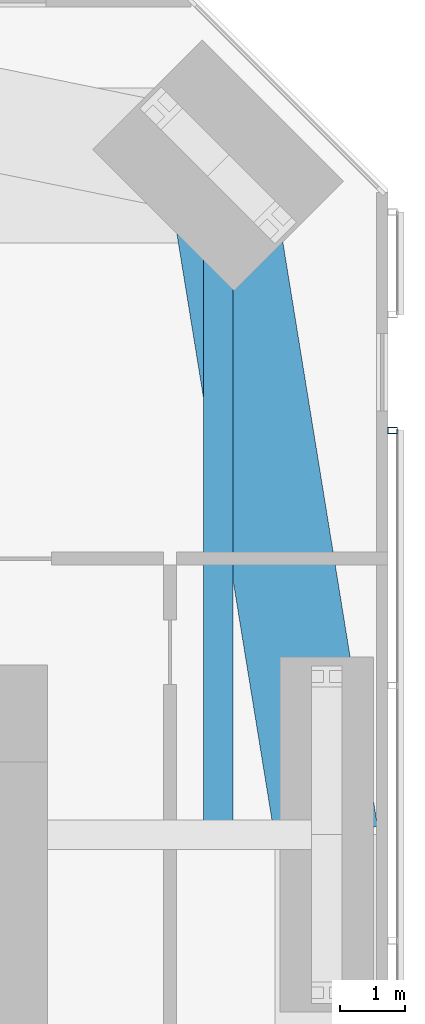
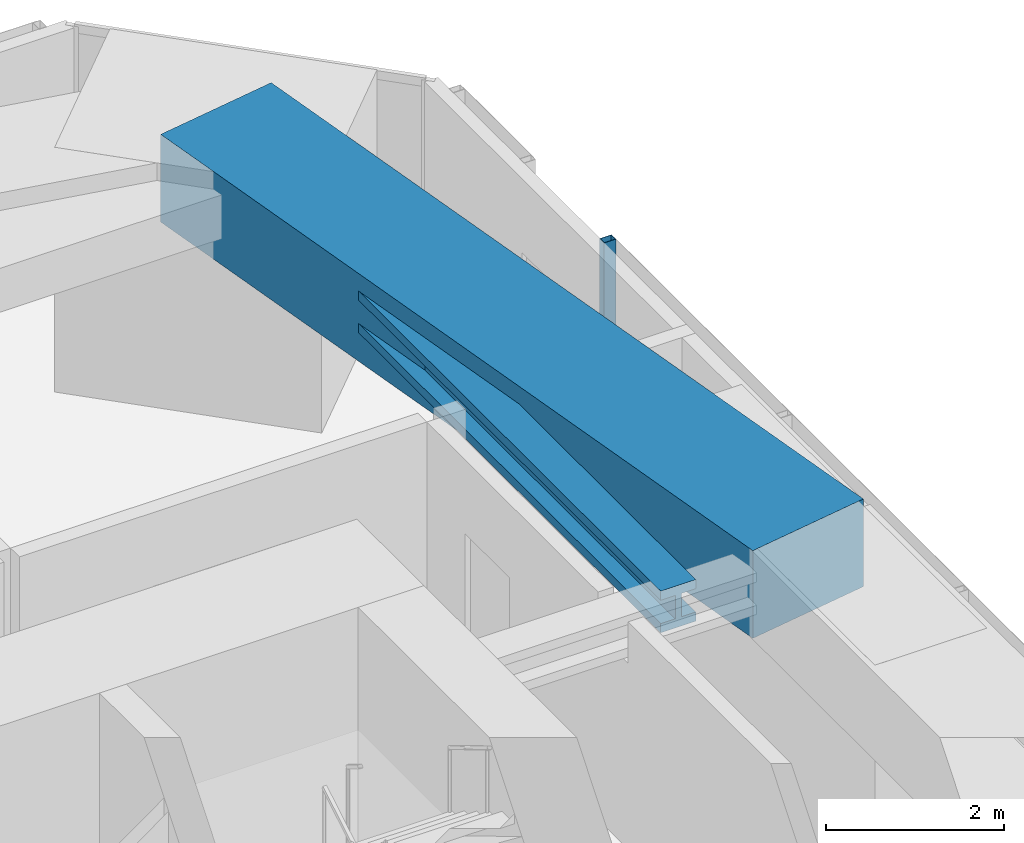
# One storey, part 10 of 23: 2 beams, 1 member, 1 element without a shape of its own.
"""IFC4 building model written with IfcOpenShell, lengths in metres."""

import ifcopenshell
import ifcopenshell.guid

model = None  # the IFC model being written
_history = None  # IfcOwnerHistory: only IFC2X3 demands one
_inside = {}  # id of a spatial element -> (the spatial element, [elements in it])
_under = {}  # id of a project, library or spatial element -> (it, [spatial elements below it])
_declared = {}  # id of a project -> (the project, [libraries it declares])
_typed = {}  # id of a type object -> (the type object, [elements of that type])
_made_of = {}  # id of a material, layer set ... -> (it, [elements and type objects made of it])


def new_model(schema):
    """Start an empty IFC model of exactly this schema.

    Asked for "IFC4X3", IfcOpenShell would pick the latest addendum, in which some entities
    have other attributes; the version numbers below select the first issue.
    IFC2X3 requires an IfcOwnerHistory on every rooted entity: one is made here for all.
    """
    global model, _history
    if schema == "IFC4X3":
        model = ifcopenshell.file(schema_version=(4, 3, 0, 0))
    else:
        model = ifcopenshell.file(schema=schema)
    _inside.clear()
    _under.clear()
    _declared.clear()
    _typed.clear()
    _made_of.clear()
    _history = None
    if model.schema == "IFC2X3":
        org = make("IfcOrganization", Name="unknown")
        user = make(
            "IfcPersonAndOrganization",
            ThePerson=make("IfcPerson", FamilyName="unknown"),
            TheOrganization=org,
        )
        app = make(
            "IfcApplication",
            ApplicationDeveloper=org,
            Version="unknown",
            ApplicationFullName="unknown",
            ApplicationIdentifier="unknown",
        )
        _history = make(
            "IfcOwnerHistory",
            OwningUser=user,
            OwningApplication=app,
            ChangeAction="ADDED",
            CreationDate=0,
        )
    return model


def make(cls, **values):
    """One entity of the class cls with the attributes given. An attribute that is None is left unset."""
    return model.create_entity(
        cls, **{name: value for name, value in values.items() if value is not None}
    )


def rooted(cls, **values):
    """An entity with a GlobalId (a new one), such as an element, a storey or a relation."""
    return make(cls, GlobalId=ifcopenshell.guid.new(), OwnerHistory=_history, **values)


def si_unit(unit_type, name, prefix=None):
    """IfcSIUnit, for example si_unit("LENGTHUNIT", "METRE", prefix="MILLI")."""
    return make("IfcSIUnit", UnitType=unit_type, Prefix=prefix, Name=name)


def assignment(units):
    """IfcUnitAssignment: the units of a project."""
    return None if units is None else make("IfcUnitAssignment", Units=units)


def point(xyz):
    """IfcCartesianPoint."""
    return None if xyz is None else make("IfcCartesianPoint", Coordinates=xyz)


def direction(xyz):
    """IfcDirection."""
    return None if xyz is None else make("IfcDirection", DirectionRatios=xyz)


def frame(location, z_axis=None, x_axis=None):
    """IfcAxis2Placement3D, a coordinate frame: its origin and axes. An axis left out is left unset."""
    return make(
        "IfcAxis2Placement3D",
        Location=point(location),
        Axis=direction(z_axis),
        RefDirection=direction(x_axis),
    )


def frame_2d(location, x_axis=None):
    """IfcAxis2Placement2D, a coordinate frame in the plane: its origin and x axis."""
    return make(
        "IfcAxis2Placement2D", Location=point(location), RefDirection=direction(x_axis)
    )


def origin():
    """The frame at (0, 0, 0) with its axes left unset."""
    return frame((0.0, 0.0, 0.0))


def origin_2d():
    """The frame at (0, 0) in the plane with its x axis left unset."""
    return frame_2d((0.0, 0.0))


def place(relative_to, where):
    """IfcLocalPlacement: puts the frame where relative to a parent placement (None: the world)."""
    return make(
        "IfcLocalPlacement", PlacementRelTo=relative_to, RelativePlacement=where
    )


def context(
    kind, dimensions, precision=None, world=None, true_north=None, identifier=None
):
    """IfcGeometricRepresentationContext, for example the 3D "Model" context."""
    return make(
        "IfcGeometricRepresentationContext",
        ContextIdentifier=identifier,
        ContextType=kind,
        CoordinateSpaceDimension=dimensions,
        Precision=precision,
        WorldCoordinateSystem=world,
        TrueNorth=true_north,
    )


def subcontext(parent, identifier, kind, view, scale=None):
    """IfcGeometricRepresentationSubContext, for example "Body" below "Model"."""
    return make(
        "IfcGeometricRepresentationSubContext",
        ContextIdentifier=identifier,
        ContextType=kind,
        ParentContext=parent,
        TargetScale=scale,
        TargetView=view,
    )


def project(units=None, contexts=None):
    """IfcProject with its units and contexts."""
    return rooted(
        "IfcProject",
        Name="project",
        RepresentationContexts=contexts,
        UnitsInContext=assignment(units),
    )


def spatial(cls, under=None, at=None, **own):
    """A site, building, storey or space (cls), placed at a placement, below another one or the project."""
    s = rooted(cls, ObjectPlacement=at, **own)
    if under is not None:
        _under.setdefault(under.id(), (under, []))[1].append(s)
    return s


def profile(cls, at=None, kind="AREA", **sizes):
    """A parametric profile (cls). Its sizes go by their IFC names, for example OverallWidth=200.0."""
    return make(cls, ProfileType=kind, Position=at, **sizes)


def rectangle(**sizes):
    """IfcRectangleProfileDef."""
    return profile("IfcRectangleProfileDef", **sizes)


def hollow_rectangle(**sizes):
    """IfcRectangleHollowProfileDef."""
    return profile("IfcRectangleHollowProfileDef", **sizes)


def i_section(**sizes):
    """IfcIShapeProfileDef."""
    return profile("IfcIShapeProfileDef", **sizes)


def extrude(swept, where, along, depth):
    """IfcExtrudedAreaSolid: the profile swept, set in the frame where, extruded along a direction by depth."""
    return make(
        "IfcExtrudedAreaSolid",
        SweptArea=swept,
        Position=where,
        ExtrudedDirection=direction(along),
        Depth=depth,
    )


def shape(context_of_items, identifier, shape_type, items):
    """IfcShapeRepresentation: the items that make up one representation, for example the "Body"."""
    return make(
        "IfcShapeRepresentation",
        ContextOfItems=context_of_items,
        RepresentationIdentifier=identifier,
        RepresentationType=shape_type,
        Items=items,
    )


def material(Name=None, Category=None):
    """IfcMaterial."""
    return make("IfcMaterial", Name=Name, Category=Category)


def material_profile(
    of_material, cross_section, Name=None, Category=None, Priority=None
):
    """IfcMaterialProfile: a cross section and its material."""
    return make(
        "IfcMaterialProfile",
        Name=Name,
        Material=of_material,
        Profile=cross_section,
        Priority=Priority,
        Category=Category,
    )


def profile_set(profiles, Name=None, composite=None):
    """IfcMaterialProfileSet."""
    return make(
        "IfcMaterialProfileSet",
        Name=Name,
        MaterialProfiles=profiles,
        CompositeProfile=composite,
    )


def made_of(thing, what):
    """Note that an element or type object is made of a material, layer set ...; save() writes the relation."""
    if what is not None:
        _made_of.setdefault(what.id(), (what, []))[1].append(thing)
    return thing


def type_object(cls, material=None, **own):
    """A type object (cls), such as IfcWallType, which elements share."""
    return made_of(rooted(cls, **own), material)


def element(
    cls,
    number,
    at=None,
    inside=None,
    cuts=None,
    type_object=None,
    material=None,
    context=None,
    identifier="Body",
    shape_type=None,
    held_by="IfcProductDefinitionShape",
    body=None,
    shapes=None,
    **own,
):
    """One element of the class cls, such as IfcWall. Its Tag is "e" and its number.

    at: its placement. inside: the storey or other place that contains it. cuts: it is an
    opening in that element (IfcRelVoidsElement). A single representation is given by context,
    identifier, shape_type and body (its items); several are given by shapes. held_by: the class
    of the entity that holds the representations. save() writes the other relations.
    """
    e = rooted(cls, Tag="e%d" % number, ObjectPlacement=at, **own)
    if body is not None:
        shapes = [shape(context, identifier, shape_type, body)]
    if shapes is not None:
        e.Representation = make(held_by, Representations=shapes)
    if inside is not None:
        _inside.setdefault(inside.id(), (inside, []))[1].append(e)
    if cuts is not None:
        rooted(
            "IfcRelVoidsElement", RelatingBuildingElement=cuts, RelatedOpeningElement=e
        )
    if type_object is not None:
        _typed.setdefault(type_object.id(), (type_object, []))[1].append(e)
    return made_of(e, material)


def aggregate(whole, parts):
    """IfcRelAggregates: a whole, such as a stair, and the parts it consists of."""
    return rooted("IfcRelAggregates", RelatingObject=whole, RelatedObjects=parts)


def save(model, path):
    """Write the relations noted so far, then the file.

    IfcRelAggregates (storeys below a building ...), IfcRelContainedInSpatialStructure (elements
    in a storey), IfcRelDefinesByType, IfcRelAssociatesMaterial and IfcRelDeclares: one each for
    every whole, place, type object, material and project.
    """
    for whole, parts in _under.values():
        aggregate(whole, parts)
    for where, things in _inside.values():
        rooted(
            "IfcRelContainedInSpatialStructure",
            RelatedElements=things,
            RelatingStructure=where,
        )
    for kind, things in _typed.values():
        rooted("IfcRelDefinesByType", RelatedObjects=things, RelatingType=kind)
    for what, things in _made_of.values():
        rooted("IfcRelAssociatesMaterial", RelatedObjects=things, RelatingMaterial=what)
    for by, libraries in _declared.values():
        rooted("IfcRelDeclares", RelatingContext=by, RelatedDefinitions=libraries)
    model.write(path)


model = new_model("IFC4")

# Units and contexts
model_context = context("Model", 3, precision=1e-05, world=origin(), true_north=direction((0.0, 1.0)))
body_context = subcontext(model_context, "Body", "Model", "MODEL_VIEW")
ifc_project = project(units=[si_unit("LENGTHUNIT", "METRE"), si_unit("AREAUNIT", "SQUARE_METRE"), si_unit("VOLUMEUNIT", "CUBIC_METRE"), si_unit("PLANEANGLEUNIT", "RADIAN"), si_unit("MASSUNIT", "GRAM", prefix="KILO")], contexts=[model_context])

# Site, building, storey
site_placement = place(None, origin())
site = spatial("IfcSite", under=ifc_project, at=site_placement, CompositionType="ELEMENT")
building_placement = place(site_placement, origin())
building = spatial("IfcBuilding", under=site, at=building_placement, Name="Jalousie Tower", CompositionType="ELEMENT")
storey_placement = place(building_placement, frame((0.0, 0.0, 108.199951171875)))
storey = spatial("IfcBuildingStorey", under=building, at=storey_placement, Name="L29", CompositionType="ELEMENT", Elevation=108.199951171875)

# Beams
ifc_material_1 = material(Name="Steel ASTM A992 Grade 50", Category="steel")
ifc_material_profile_1 = material_profile(ifc_material_1, i_section(OverallWidth=0.45458984375, OverallDepth=0.569091796875, WebThickness=0.077880859375, FlangeThickness=0.124755859375, at=origin_2d()), Name="W14X730")
ifc_profile_set_1 = profile_set([ifc_material_profile_1], Name="Steel ASTM A992 Grade 50")
beam_type_1 = type_object("IfcBeamType", Name="LEAN COLLECTOR W14X730", PredefinedType="BEAM", material=ifc_profile_set_1)
beam_1_placement = place(storey_placement, frame((46.86865234375, 35.36865234375, 2.825439453125), z_axis=(0.0, -1.0, 0.0), x_axis=(1.0, 0.0, 0.0)))
element("IfcBeam", 1, at=beam_1_placement, inside=storey, type_object=beam_type_1, Name="Lean collector under L30", PredefinedType="BEAM", context=body_context, shape_type="SweptSolid", body=[
    extrude(i_section(OverallWidth=0.45458984375, OverallDepth=0.569091796875, WebThickness=0.077880859375, FlangeThickness=0.124755859375, at=origin_2d()), origin(), (0.0, 0.0, 1.0), 10.36865234375),
])
ifc_material_2 = material(Name="Concrete f'c 40 MPa", Category="concrete")
ifc_material_profile_2 = material_profile(ifc_material_2, rectangle(XDim=1.60009765625, YDim=1.199951171875, at=origin_2d()), Name="RC 1600x1200")
ifc_profile_set_2 = profile_set([ifc_material_profile_2], Name="Concrete f'c 40 MPa")
beam_type_2 = type_object("IfcBeamType", Name="RC BEAM 1600x1200", PredefinedType="BEAM", material=ifc_profile_set_2)
beam_2_placement = place(storey_placement, frame((48.550048828125, 25.0, 2.75), z_axis=(-0.160070546476, 0.987105577003, 0.0), x_axis=(-0.987105577003, -0.160070546476, 0.0)))
element("IfcBeam", 2, at=beam_2_placement, inside=storey, type_object=beam_type_2, Name="Edge band beam 07-08 under L30", PredefinedType="BEAM", context=body_context, shape_type="SweptSolid", body=[
    extrude(rectangle(XDim=1.60009765625, YDim=1.199951171875, at=origin_2d()), origin(), (0.0, 0.0, 1.0), 10.504150390625),
])

# Curtain wall, member
ifc_material_3 = material(Name="Perforated aluminium sheet", Category="aluminium")
curtain_wall_type = type_object("IfcCurtainWallType", Name="SOLAR SCREEN SS-1", PredefinedType="USERDEFINED", material=ifc_material_3)
curtain_wall_placement = place(storey_placement, origin())
curtain_wall = element("IfcCurtainWall", 3, at=curtain_wall_placement, inside=storey, type_object=curtain_wall_type, Name="Solar screen L29", ObjectType="SOLAR SCREEN SS-1", PredefinedType="USERDEFINED")
ifc_material_4 = material(Name="Steel ASTM A500 Grade C", Category="steel")
ifc_material_profile_3 = material_profile(ifc_material_4, hollow_rectangle(XDim=0.1015625, YDim=0.15234375, WallThickness=0.00634765625, at=origin_2d()), Name="HSS6X4X1/4")
ifc_profile_set_3 = profile_set([ifc_material_profile_3], Name="Steel ASTM A500 Grade C")
member_type = type_object("IfcMemberType", Name="SOLAR SCREEN SS-1 MULLION", PredefinedType="MULLION", material=ifc_profile_set_3)
member_placement = place(storey_placement, frame((49.5712890625, 31.261962890625, -0.119873046875), z_axis=(0.0, 0.0, 1.0), x_axis=(0.0, 1.0, 0.0)))
member = element("IfcMember", 4, at=member_placement, type_object=member_type, Name="SS1 post 4", PredefinedType="MULLION", context=body_context, shape_type="SweptSolid", body=[
    extrude(hollow_rectangle(XDim=0.1015625, YDim=0.15234375, WallThickness=0.00634765625, at=origin_2d()), origin(), (0.0, 0.0, 1.0), 3.22998046875),
])
aggregate(curtain_wall, [member])

save(model, "model.ifc")
